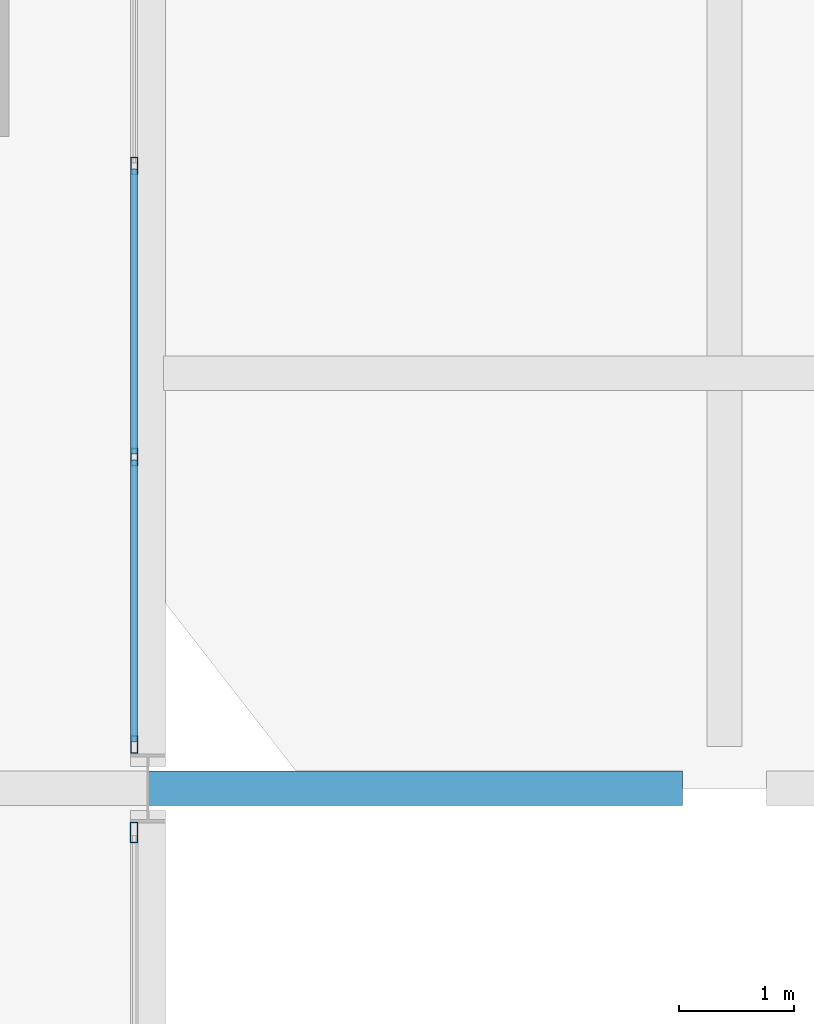
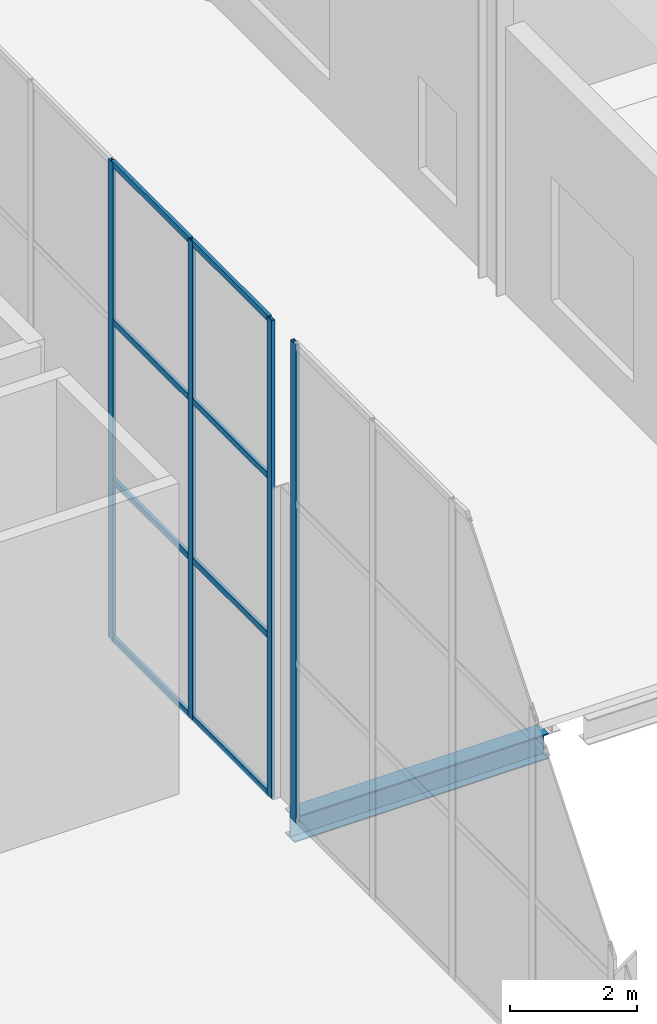
# One storey, part 115 of 191: 12 members, 1 beam, 2 elements without a shape of their own.
"""IFC4 building model written with IfcOpenShell, lengths in metres."""

from ifc_helpers import new_model, si_unit, direction, frame, origin, origin_2d, place, context, subcontext, project, spatial, hollow_rectangle, i_section, extrude, material, layer, layer_set, material_profile, profile_set, type_object, element, aggregate, save


model = new_model("IFC4")

# Units and contexts
model_context = context("Model", 3, precision=1e-05, world=origin(), true_north=direction((0.0, 1.0)))
body_context = subcontext(model_context, "Body", "Model", "MODEL_VIEW")
ifc_project = project(units=[si_unit("LENGTHUNIT", "METRE"), si_unit("AREAUNIT", "SQUARE_METRE"), si_unit("VOLUMEUNIT", "CUBIC_METRE"), si_unit("PLANEANGLEUNIT", "RADIAN"), si_unit("MASSUNIT", "GRAM", prefix="KILO")], contexts=[model_context])

# Site, building, storey
site_placement = place(None, origin())
site = spatial("IfcSite", under=ifc_project, at=site_placement, CompositionType="ELEMENT")
building_placement = place(site_placement, origin())
building = spatial("IfcBuilding", under=site, at=building_placement, Name="Tamarisk Ironworks Central Station", CompositionType="ELEMENT")
storey_placement = place(building_placement, frame((0.0, 0.0, 6.60009765625)))
storey = spatial("IfcBuildingStorey", under=building, at=storey_placement, Name="L01", CompositionType="ELEMENT", Elevation=6.60009765625)

# Beam
ifc_material_1 = material(Name="Structural steel S355J2", Category="steel")
ifc_material_profile_1 = material_profile(ifc_material_1, i_section(OverallWidth=0.300048828125, OverallDepth=0.489990234375, WebThickness=0.011962890625, FlangeThickness=0.02294921875, at=origin_2d()), Name="HEA 500")
ifc_profile_set_1 = profile_set([ifc_material_profile_1], Name="Structural steel S355J2")
beam_type = type_object("IfcBeamType", Name="BM-G05", PredefinedType="BEAM", material=ifc_profile_set_1)
beam_placement = place(storey_placement, frame((108.00390625, 90.0, -0.385009765625), z_axis=(1.0, 0.0, 0.0), x_axis=(0.0, 1.0, 0.0)))
element("IfcBeam", 1, at=beam_placement, inside=storey, type_object=beam_type, Name="L01 primary girder X-0103", PredefinedType="BEAM", context=body_context, shape_type="SweptSolid", body=[
    extrude(i_section(OverallWidth=0.300048828125, OverallDepth=0.489990234375, WebThickness=0.011962890625, FlangeThickness=0.02294921875, at=origin_2d()), origin(), (0.0, 0.0, 1.0), 4.633056640625),
])

# Curtain wall, member
ifc_material_2 = material(Name="Anodized aluminium alloy 6063-T6", Category="aluminium")
ifc_layer_1 = layer(ifc_material_2, 0.179931640625)
ifc_layer_set_1 = layer_set([ifc_layer_1], Name="Anodized aluminium alloy 6063-T6")
curtain_wall_type_1 = type_object("IfcCurtainWallType", Name="CW-07", PredefinedType="USERDEFINED", material=ifc_layer_set_1)
curtain_wall_1_placement = place(storey_placement, origin())
curtain_wall_1 = element("IfcCurtainWall", 2, at=curtain_wall_1_placement, inside=storey, type_object=curtain_wall_type_1, Name="Concourse E track-overlook curtain wall 06", ObjectType="GLAZED CURTAIN WALL", PredefinedType="USERDEFINED")
ifc_material_profile_2 = material_profile(ifc_material_2, hollow_rectangle(XDim=0.06494140625, YDim=0.179931640625, WallThickness=0.00390625, at=origin_2d()), Name="ALUM 180x65")
ifc_profile_set_2 = profile_set([ifc_material_profile_2], Name="Anodized aluminium alloy 6063-T6")
member_type_1 = type_object("IfcMemberType", Name="CWM-02", PredefinedType="MULLION", material=ifc_profile_set_2)
member_1_placement = place(storey_placement, frame((107.8798828125, 89.617431640625, 0.0), z_axis=(0.0, 0.0, 1.0), x_axis=(-1.0, 0.0, 0.0)))
member_1 = element("IfcMember", 3, at=member_1_placement, type_object=member_type_1, Name="CW07 mullion 5", PredefinedType="MULLION", context=body_context, shape_type="SweptSolid", body=[
    extrude(hollow_rectangle(XDim=0.06494140625, YDim=0.179931640625, WallThickness=0.00390625, at=origin_2d()), origin(), (0.0, 0.0, 1.0), 9.219970703125),
])
aggregate(curtain_wall_1, [member_1])

# Curtain wall, members
ifc_layer_2 = layer(ifc_material_2, 0.179931640625)
ifc_layer_set_2 = layer_set([ifc_layer_2], Name="Anodized aluminium alloy 6063-T6")
curtain_wall_type_2 = type_object("IfcCurtainWallType", Name="CW-08", PredefinedType="USERDEFINED", material=ifc_layer_set_2)
curtain_wall_2_placement = place(storey_placement, origin())
curtain_wall_2 = element("IfcCurtainWall", 4, at=curtain_wall_2_placement, inside=storey, type_object=curtain_wall_type_2, Name="Concourse E track-overlook curtain wall 07", ObjectType="GLAZED CURTAIN WALL", PredefinedType="USERDEFINED")
ifc_material_profile_3 = material_profile(ifc_material_2, hollow_rectangle(XDim=0.06005859375, YDim=0.14990234375, WallThickness=0.00341796875, at=origin_2d()), Name="ALUM 150x60")
ifc_profile_set_3 = profile_set([ifc_material_profile_3], Name="Anodized aluminium alloy 6063-T6")
member_type_2 = type_object("IfcMemberType", Name="CWM-03", PredefinedType="MULLION", material=ifc_profile_set_3)
member_2_placement = place(storey_placement, frame((107.8798828125, 90.3798828125, 0.0), z_axis=(0.0, 0.0, 1.0), x_axis=(-1.0, 0.0, 0.0)))
member_2 = element("IfcMember", 5, at=member_2_placement, type_object=member_type_2, Name="CW08 mullion 1", PredefinedType="MULLION", context=body_context, shape_type="SweptSolid", body=[
    extrude(hollow_rectangle(XDim=0.06005859375, YDim=0.14990234375, WallThickness=0.00341796875, at=origin_2d()), origin(), (0.0, 0.0, 1.0), 9.219970703125),
])
member_3_placement = place(storey_placement, frame((107.8798828125, 92.875, 0.0), z_axis=(0.0, 0.0, 1.0), x_axis=(-1.0, 0.0, 0.0)))
member_3 = element("IfcMember", 6, at=member_3_placement, type_object=member_type_2, Name="CW08 mullion 2", PredefinedType="MULLION", context=body_context, shape_type="SweptSolid", body=[
    extrude(hollow_rectangle(XDim=0.06005859375, YDim=0.14990234375, WallThickness=0.00341796875, at=origin_2d()), origin(), (0.0, 0.0, 1.0), 9.219970703125),
])
member_4_placement = place(storey_placement, frame((107.8798828125, 95.39990234375, 0.0), z_axis=(0.0, 0.0, 1.0), x_axis=(-1.0, 0.0, 0.0)))
member_4 = element("IfcMember", 7, at=member_4_placement, type_object=member_type_2, Name="CW08 mullion 3", PredefinedType="MULLION", context=body_context, shape_type="SweptSolid", body=[
    extrude(hollow_rectangle(XDim=0.06005859375, YDim=0.14990234375, WallThickness=0.00341796875, at=origin_2d()), origin(), (0.0, 0.0, 1.0), 9.219970703125),
])
ifc_material_profile_4 = material_profile(ifc_material_2, hollow_rectangle(XDim=0.06005859375, YDim=0.114990234375, WallThickness=0.00341796875, at=origin_2d()), Name="ALUM 115x60")
ifc_profile_set_4 = profile_set([ifc_material_profile_4], Name="Anodized aluminium alloy 6063-T6")
member_type_3 = type_object("IfcMemberType", Name="CWT-03", PredefinedType="USERDEFINED", material=ifc_profile_set_4)
member_5_placement = place(storey_placement, frame((107.8798828125, 90.406005859375, 0.02978515625), z_axis=(0.0, 1.0, 0.0), x_axis=(-1.0, 0.0, 0.0)))
member_5 = element("IfcMember", 8, at=member_5_placement, type_object=member_type_3, Name="CW08 transom 1.1", ObjectType="TRANSOM", PredefinedType="USERDEFINED", context=body_context, shape_type="SweptSolid", body=[
    extrude(hollow_rectangle(XDim=0.06005859375, YDim=0.114990234375, WallThickness=0.00341796875, at=origin_2d()), origin(), (0.0, 0.0, 1.0), 2.443115234375),
])
member_6_placement = place(storey_placement, frame((107.8798828125, 90.406005859375, 3.0732421875), z_axis=(0.0, 1.0, 0.0), x_axis=(-1.0, 0.0, 0.0)))
member_6 = element("IfcMember", 9, at=member_6_placement, type_object=member_type_3, Name="CW08 transom 1.2", ObjectType="TRANSOM", PredefinedType="USERDEFINED", context=body_context, shape_type="SweptSolid", body=[
    extrude(hollow_rectangle(XDim=0.06005859375, YDim=0.114990234375, WallThickness=0.00341796875, at=origin_2d()), origin(), (0.0, 0.0, 1.0), 2.443115234375),
])
member_7_placement = place(storey_placement, frame((107.8798828125, 90.406005859375, 6.146484375), z_axis=(0.0, 1.0, 0.0), x_axis=(-1.0, 0.0, 0.0)))
member_7 = element("IfcMember", 10, at=member_7_placement, type_object=member_type_3, Name="CW08 transom 1.3", ObjectType="TRANSOM", PredefinedType="USERDEFINED", context=body_context, shape_type="SweptSolid", body=[
    extrude(hollow_rectangle(XDim=0.06005859375, YDim=0.114990234375, WallThickness=0.00341796875, at=origin_2d()), origin(), (0.0, 0.0, 1.0), 2.443115234375),
])
member_8_placement = place(storey_placement, frame((107.8798828125, 90.406005859375, 9.18994140625), z_axis=(0.0, 1.0, 0.0), x_axis=(-1.0, 0.0, 0.0)))
member_8 = element("IfcMember", 11, at=member_8_placement, type_object=member_type_3, Name="CW08 transom 1.4", ObjectType="TRANSOM", PredefinedType="USERDEFINED", context=body_context, shape_type="SweptSolid", body=[
    extrude(hollow_rectangle(XDim=0.06005859375, YDim=0.114990234375, WallThickness=0.00341796875, at=origin_2d()), origin(), (0.0, 0.0, 1.0), 2.443115234375),
])
member_9_placement = place(storey_placement, frame((107.8798828125, 92.90087890625, 0.02978515625), z_axis=(0.0, 1.0, 0.0), x_axis=(-1.0, 0.0, 0.0)))
member_9 = element("IfcMember", 12, at=member_9_placement, type_object=member_type_3, Name="CW08 transom 2.1", ObjectType="TRANSOM", PredefinedType="USERDEFINED", context=body_context, shape_type="SweptSolid", body=[
    extrude(hollow_rectangle(XDim=0.06005859375, YDim=0.114990234375, WallThickness=0.00341796875, at=origin_2d()), origin(), (0.0, 0.0, 1.0), 2.47314453125),
])
member_10_placement = place(storey_placement, frame((107.8798828125, 92.90087890625, 3.0732421875), z_axis=(0.0, 1.0, 0.0), x_axis=(-1.0, 0.0, 0.0)))
member_10 = element("IfcMember", 13, at=member_10_placement, type_object=member_type_3, Name="CW08 transom 2.2", ObjectType="TRANSOM", PredefinedType="USERDEFINED", context=body_context, shape_type="SweptSolid", body=[
    extrude(hollow_rectangle(XDim=0.06005859375, YDim=0.114990234375, WallThickness=0.00341796875, at=origin_2d()), origin(), (0.0, 0.0, 1.0), 2.47314453125),
])
member_11_placement = place(storey_placement, frame((107.8798828125, 92.90087890625, 6.146484375), z_axis=(0.0, 1.0, 0.0), x_axis=(-1.0, 0.0, 0.0)))
member_11 = element("IfcMember", 14, at=member_11_placement, type_object=member_type_3, Name="CW08 transom 2.3", ObjectType="TRANSOM", PredefinedType="USERDEFINED", context=body_context, shape_type="SweptSolid", body=[
    extrude(hollow_rectangle(XDim=0.06005859375, YDim=0.114990234375, WallThickness=0.00341796875, at=origin_2d()), origin(), (0.0, 0.0, 1.0), 2.47314453125),
])
member_12_placement = place(storey_placement, frame((107.8798828125, 92.90087890625, 9.18994140625), z_axis=(0.0, 1.0, 0.0), x_axis=(-1.0, 0.0, 0.0)))
member_12 = element("IfcMember", 15, at=member_12_placement, type_object=member_type_3, Name="CW08 transom 2.4", ObjectType="TRANSOM", PredefinedType="USERDEFINED", context=body_context, shape_type="SweptSolid", body=[
    extrude(hollow_rectangle(XDim=0.06005859375, YDim=0.114990234375, WallThickness=0.00341796875, at=origin_2d()), origin(), (0.0, 0.0, 1.0), 2.47314453125),
])
aggregate(curtain_wall_2, [member_2, member_3, member_4, member_5, member_6, member_7, member_8, member_9, member_10, member_11, member_12])

save(model, "model.ifc")
